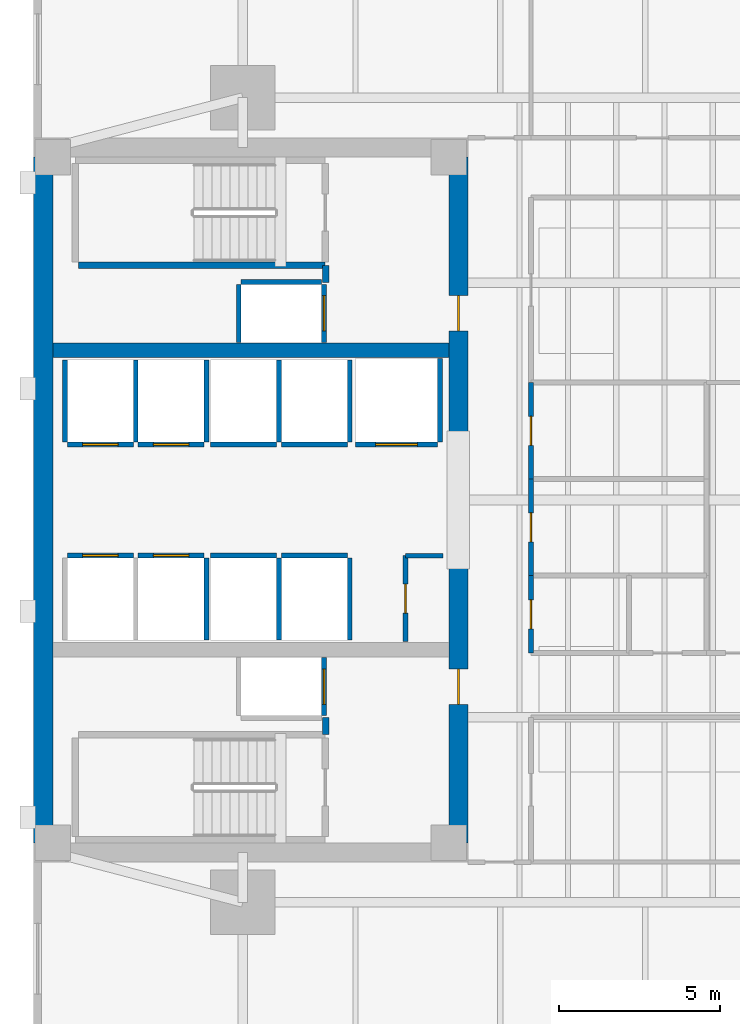
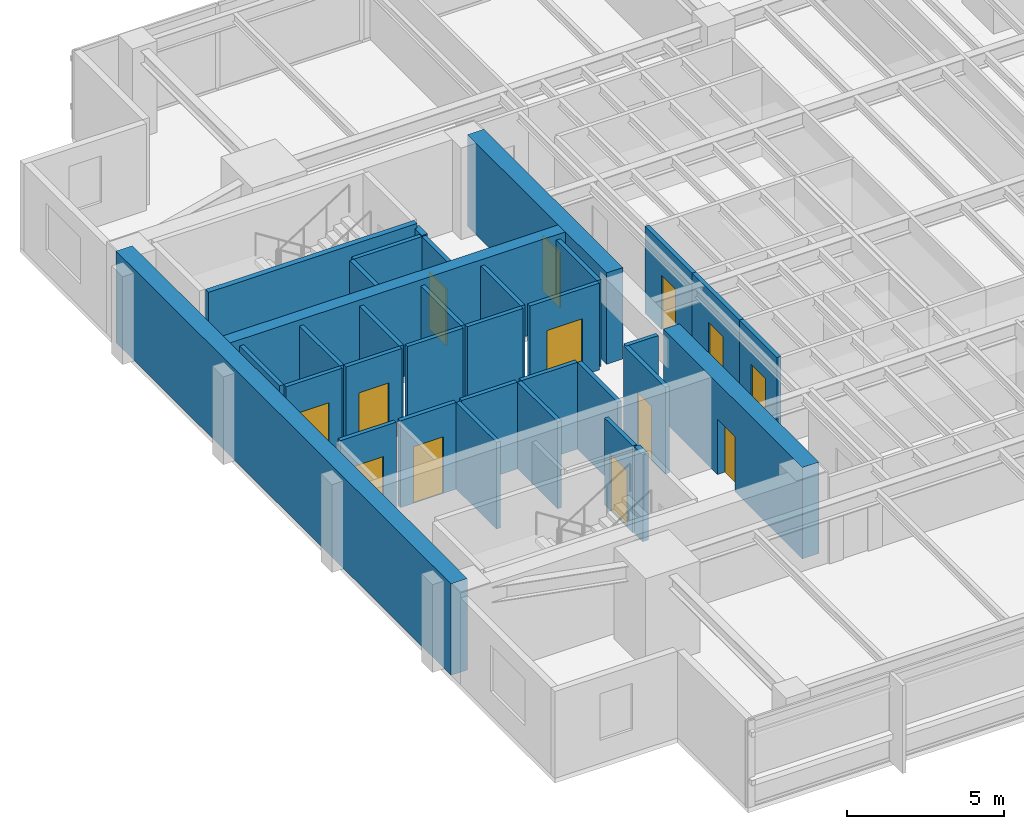
# One storey, part 8 of 14: 34 walls, 13 doors, 13 openings.
"""IFC4 building model written with IfcOpenShell, lengths in metres."""

from ifc_helpers import new_model, si_unit, direction, frame, frame_2d, origin, place, context, subcontext, project, spatial, rectangle, extrude, material, layer, layer_set, type_object, element, fill, save


model = new_model("IFC4")

# Units and contexts
model_context = context("Model", 3, precision=1e-05, world=origin(), true_north=direction((0.0, 1.0)))
body_context = subcontext(model_context, "Body", "Model", "MODEL_VIEW")
ifc_project = project(units=[si_unit("LENGTHUNIT", "METRE"), si_unit("AREAUNIT", "SQUARE_METRE"), si_unit("VOLUMEUNIT", "CUBIC_METRE"), si_unit("PLANEANGLEUNIT", "RADIAN"), si_unit("MASSUNIT", "GRAM", prefix="KILO")], contexts=[model_context])

# Site, building, storey
site_placement = place(None, origin())
site = spatial("IfcSite", under=ifc_project, at=site_placement, CompositionType="ELEMENT")
building_placement = place(site_placement, origin())
building = spatial("IfcBuilding", under=site, at=building_placement, Name="Kinhvarn Gate Tower", CompositionType="ELEMENT")
storey_placement = place(building_placement, frame((0.0, 0.0, 144.85009765625)))
storey = spatial("IfcBuildingStorey", under=building, at=storey_placement, Name="L38", CompositionType="ELEMENT", Elevation=144.85009765625)

# Wall
ifc_material_1 = material(Name="Concrete C50/60", Category="concrete")
ifc_layer_1 = layer(ifc_material_1, 0.449951171875)
ifc_layer_set_1 = layer_set([ifc_layer_1], Name="Concrete C50/60")
wall_type_1 = type_object("IfcWallType", Name="WL-CORE-450", PredefinedType="SHEAR", material=ifc_layer_set_1)
wall_1_placement = place(storey_placement, frame((5.10009765625, 29.89990234375, 0.0), z_axis=(0.0, 0.0, 1.0), x_axis=(1.0, 0.0, 0.0)))
element("IfcWall", 1, at=wall_1_placement, inside=storey, type_object=wall_type_1, Name="Core North Spine Shear Wall L38 450 mm", PredefinedType="SHEAR", context=body_context, shape_type="SweptSolid", body=[
    extrude(rectangle(XDim=12.2998046875, YDim=0.449951171875, at=frame_2d((6.14990234375, 0.0))), origin(), (0.0, 0.0, 1.0), 3.5498046875),
])

# Wall, opening, door
ifc_material_2 = material(Name="Concrete C60/75", Category="concrete")
ifc_layer_2 = layer(ifc_material_2, 0.60009765625)
ifc_layer_set_2 = layer_set([ifc_layer_2], Name="Concrete C60/75")
wall_type_2 = type_object("IfcWallType", Name="WL-CORE-600", PredefinedType="SHEAR", material=ifc_layer_set_2)
wall_2_placement = place(storey_placement, frame((17.699951171875, 14.60009765625, 0.0), z_axis=(0.0, 0.0, 1.0), x_axis=(0.0, 1.0, 0.0)))
wall_2 = element("IfcWall", 2, at=wall_2_placement, inside=storey, type_object=wall_type_2, Name="Core East-South Shear Pier L38 600 mm", PredefinedType="SHEAR", context=body_context, shape_type="SweptSolid", body=[
    extrude(rectangle(XDim=8.849853515625, YDim=0.60009765625, at=frame_2d((4.4248046875, 0.0))), origin(), (0.0, 0.0, 1.0), 3.5498046875),
])
opening_1_placement = place(wall_2_placement, frame((4.300048828125, 0.0, 0.0)))
opening_1 = element("IfcOpeningElement", 3, at=opening_1_placement, cuts=wall_2, Name="Opening FD-02", PredefinedType="OPENING", context=body_context, shape_type="SweptSolid", body=[
    extrude(rectangle(XDim=1.10009765625, YDim=2.14990234375, at=frame_2d((0.550048828125, 1.074951171875))), frame((0.0, 0.31005859375, 0.0), z_axis=(0.0, -1.0, 0.0), x_axis=(1.0, 0.0, 0.0)), (0.0, 0.0, 1.0), 0.6201171875),
])
ifc_material_3 = material(Name="Anodised aluminium AW-6063", Category="aluminium")
door_type_1 = type_object("IfcDoorType", Name="DR-FD-1100", OperationType="NOTDEFINED", PredefinedType="DOOR", material=ifc_material_3)
door_1_placement = place(opening_1_placement, origin())
door_1 = element("IfcDoor", 4, at=door_1_placement, inside=storey, type_object=door_type_1, Name="Firefighting Lobby Core Door (L38)", OperationType="SINGLE_SWING_RIGHT", OverallHeight=2.14990234375, OverallWidth=1.10009765625, PredefinedType="DOOR", context=body_context, shape_type="SweptSolid", body=[
    extrude(rectangle(XDim=1.10009765625, YDim=2.14990234375, at=frame_2d((0.550048828125, 1.074951171875))), frame((0.0, 0.02490234375, 0.0), z_axis=(0.0, -1.0, 0.0), x_axis=(1.0, 0.0, 0.0)), (0.0, 0.0, 1.0), 0.050048828125),
])
fill(opening_1, door_1)

wall_3_placement = place(storey_placement, frame((17.699951171875, 27.050048828125, 0.0), z_axis=(0.0, 0.0, 1.0), x_axis=(0.0, 1.0, 0.0)))
wall_3 = element("IfcWall", 5, at=wall_3_placement, inside=storey, type_object=wall_type_2, Name="Core East-North Shear Pier L38 600 mm", PredefinedType="SHEAR", context=body_context, shape_type="SweptSolid", body=[
    extrude(rectangle(XDim=8.849853515625, YDim=0.60009765625, at=frame_2d((4.4248046875, 0.0))), origin(), (0.0, 0.0, 1.0), 3.5498046875),
])
opening_2_placement = place(wall_3_placement, frame((3.449951171875, 0.0, 0.0)))
opening_2 = element("IfcOpeningElement", 6, at=opening_2_placement, cuts=wall_3, Name="Opening FD-02", PredefinedType="OPENING", context=body_context, shape_type="SweptSolid", body=[
    extrude(rectangle(XDim=1.10009765625, YDim=2.14990234375, at=frame_2d((0.550048828125, 1.074951171875))), frame((0.0, 0.31005859375, 0.0), z_axis=(0.0, -1.0, 0.0), x_axis=(1.0, 0.0, 0.0)), (0.0, 0.0, 1.0), 0.6201171875),
])
door_2_placement = place(opening_2_placement, origin())
door_2 = element("IfcDoor", 7, at=door_2_placement, inside=storey, type_object=door_type_1, Name="Firefighting Lobby Core Door (L38)", OperationType="SINGLE_SWING_LEFT", OverallHeight=2.14990234375, OverallWidth=1.10009765625, PredefinedType="DOOR", context=body_context, shape_type="SweptSolid", body=[
    extrude(rectangle(XDim=1.10009765625, YDim=2.14990234375, at=frame_2d((0.550048828125, 1.074951171875))), frame((0.0, 0.02490234375, 0.0), z_axis=(0.0, -1.0, 0.0), x_axis=(1.0, 0.0, 0.0)), (0.0, 0.0, 1.0), 0.050048828125),
])
fill(opening_2, door_2)

# Wall
ifc_layer_3 = layer(ifc_material_2, 0.60009765625)
ifc_layer_set_3 = layer_set([ifc_layer_3], Name="Concrete C60/75")
wall_type_3 = type_object("IfcWallType", Name="WL-COREX-600", PredefinedType="SHEAR", material=ifc_layer_set_3)
wall_4_placement = place(storey_placement, frame((4.800048828125, 14.60009765625, 0.0), z_axis=(0.0, 0.0, 1.0), x_axis=(0.0, 1.0, 0.0)))
element("IfcWall", 8, at=wall_4_placement, inside=storey, type_object=wall_type_3, Name="Core West Shear Wall L38 600 mm", PredefinedType="SHEAR", context=body_context, shape_type="SweptSolid", body=[
    extrude(rectangle(XDim=21.2998046875, YDim=0.60009765625, at=frame_2d((10.64990234375, 0.0))), origin(), (0.0, 0.0, 1.0), 3.5498046875),
])

# Wall, opening, door
ifc_material_4 = material(Name="Gypsum acoustic partition board")
ifc_layer_4 = layer(ifc_material_4, 0.14990234375)
ifc_layer_set_4 = layer_set([ifc_layer_4], Name="Gypsum acoustic partition board")
wall_type_4 = type_object("IfcWallType", Name="WL-PLM-150F", PredefinedType="PLUMBINGWALL", material=ifc_layer_set_4)
wall_5_placement = place(storey_placement, frame((19.949951171875, 20.5, 0.0), z_axis=(0.0, 0.0, 1.0), x_axis=(0.0, 1.0, 0.0)))
wall_5 = element("IfcWall", 9, at=wall_5_placement, inside=storey, type_object=wall_type_4, Name="Interior Partition PLW-150F (L38)", PredefinedType="PLUMBINGWALL", context=body_context, shape_type="SweptSolid", body=[
    extrude(rectangle(XDim=2.39990234375, YDim=0.14990234375, at=frame_2d((1.199951171875, 0.0))), origin(), (0.0, 0.0, 1.0), 3.369873046875),
])
opening_3_placement = place(wall_5_placement, frame((0.75, 0.0, 0.0)))
opening_3 = element("IfcOpeningElement", 10, at=opening_3_placement, cuts=wall_5, Name="Opening FD-04", PredefinedType="OPENING", context=body_context, shape_type="SweptSolid", body=[
    extrude(rectangle(XDim=0.89990234375, YDim=2.10009765625, at=frame_2d((0.449951171875, 1.050048828125))), frame((0.0, 0.0849609375, 0.0), z_axis=(0.0, -1.0, 0.0), x_axis=(1.0, 0.0, 0.0)), (0.0, 0.0, 1.0), 0.169921875),
])
door_type_2 = type_object("IfcDoorType", Name="DR-FD-900", OperationType="NOTDEFINED", PredefinedType="DOOR", material=ifc_material_3)
door_3_placement = place(opening_3_placement, origin())
door_3 = element("IfcDoor", 11, at=door_3_placement, inside=storey, type_object=door_type_2, Name="Rated Riser & Service Closet Fire Door 900x2100 mm (L38)", OperationType="SINGLE_SWING_LEFT", OverallHeight=2.10009765625, OverallWidth=0.89990234375, PredefinedType="DOOR", context=body_context, shape_type="SweptSolid", body=[
    extrude(rectangle(XDim=0.89990234375, YDim=2.10009765625, at=frame_2d((0.449951171875, 1.050048828125))), frame((0.0, 0.02490234375, 0.0), z_axis=(0.0, -1.0, 0.0), x_axis=(1.0, 0.0, 0.0)), (0.0, 0.0, 1.0), 0.050048828125),
])
fill(opening_3, door_3)

wall_6_placement = place(storey_placement, frame((19.949951171875, 22.89990234375, 0.0), z_axis=(0.0, 0.0, 1.0), x_axis=(0.0, 1.0, 0.0)))
wall_6 = element("IfcWall", 12, at=wall_6_placement, inside=storey, type_object=wall_type_4, Name="Interior Partition PLW-150F (L38)", PredefinedType="PLUMBINGWALL", context=body_context, shape_type="SweptSolid", body=[
    extrude(rectangle(XDim=3.0, YDim=0.14990234375, at=frame_2d((1.5, 0.0))), origin(), (0.0, 0.0, 1.0), 3.369873046875),
])
opening_4_placement = place(wall_6_placement, frame((1.050048828125, 0.0, 0.0)))
opening_4 = element("IfcOpeningElement", 13, at=opening_4_placement, cuts=wall_6, Name="Opening FD-04", PredefinedType="OPENING", context=body_context, shape_type="SweptSolid", body=[
    extrude(rectangle(XDim=0.89990234375, YDim=2.10009765625, at=frame_2d((0.449951171875, 1.050048828125))), frame((0.0, 0.0849609375, 0.0), z_axis=(0.0, -1.0, 0.0), x_axis=(1.0, 0.0, 0.0)), (0.0, 0.0, 1.0), 0.169921875),
])
door_4_placement = place(opening_4_placement, origin())
door_4 = element("IfcDoor", 14, at=door_4_placement, inside=storey, type_object=door_type_2, Name="Rated Riser & Service Closet Fire Door 900x2100 mm (L38)", OperationType="SINGLE_SWING_RIGHT", OverallHeight=2.10009765625, OverallWidth=0.89990234375, PredefinedType="DOOR", context=body_context, shape_type="SweptSolid", body=[
    extrude(rectangle(XDim=0.89990234375, YDim=2.10009765625, at=frame_2d((0.449951171875, 1.050048828125))), frame((0.0, 0.02490234375, 0.0), z_axis=(0.0, -1.0, 0.0), x_axis=(1.0, 0.0, 0.0)), (0.0, 0.0, 1.0), 0.050048828125),
])
fill(opening_4, door_4)

wall_7_placement = place(storey_placement, frame((19.949951171875, 25.89990234375, 0.0), z_axis=(0.0, 0.0, 1.0), x_axis=(0.0, 1.0, 0.0)))
wall_7 = element("IfcWall", 15, at=wall_7_placement, inside=storey, type_object=wall_type_4, Name="Interior Partition PLW-150F (L38)", PredefinedType="PLUMBINGWALL", context=body_context, shape_type="SweptSolid", body=[
    extrude(rectangle(XDim=3.0, YDim=0.14990234375, at=frame_2d((1.5, 0.0))), origin(), (0.0, 0.0, 1.0), 3.369873046875),
])
opening_5_placement = place(wall_7_placement, frame((1.050048828125, 0.0, 0.0)))
opening_5 = element("IfcOpeningElement", 16, at=opening_5_placement, cuts=wall_7, Name="Opening FD-04", PredefinedType="OPENING", context=body_context, shape_type="SweptSolid", body=[
    extrude(rectangle(XDim=0.89990234375, YDim=2.10009765625, at=frame_2d((0.449951171875, 1.050048828125))), frame((0.0, 0.0849609375, 0.0), z_axis=(0.0, -1.0, 0.0), x_axis=(1.0, 0.0, 0.0)), (0.0, 0.0, 1.0), 0.169921875),
])
door_5_placement = place(opening_5_placement, origin())
door_5 = element("IfcDoor", 17, at=door_5_placement, inside=storey, type_object=door_type_2, Name="Rated Riser & Service Closet Fire Door 900x2100 mm (L38)", OperationType="SINGLE_SWING_LEFT", OverallHeight=2.10009765625, OverallWidth=0.89990234375, PredefinedType="DOOR", context=body_context, shape_type="SweptSolid", body=[
    extrude(rectangle(XDim=0.89990234375, YDim=2.10009765625, at=frame_2d((0.449951171875, 1.050048828125))), frame((0.0, 0.02490234375, 0.0), z_axis=(0.0, -1.0, 0.0), x_axis=(1.0, 0.0, 0.0)), (0.0, 0.0, 1.0), 0.050048828125),
])
fill(opening_5, door_5)

ifc_layer_5 = layer(ifc_material_4, 0.14990234375)
ifc_layer_set_5 = layer_set([ifc_layer_5], Name="Gypsum acoustic partition board")
wall_type_5 = type_object("IfcWallType", Name="WL-PRT-150F", PredefinedType="PARTITIONING", material=ifc_layer_set_5)
wall_8_placement = place(storey_placement, frame((16.050048828125, 20.85009765625, 0.0), z_axis=(0.0, 0.0, 1.0), x_axis=(0.0, 1.0, 0.0)))
wall_8 = element("IfcWall", 18, at=wall_8_placement, inside=storey, type_object=wall_type_5, Name="Interior Partition PW-150F (L38)", PredefinedType="PARTITIONING", context=body_context, shape_type="SweptSolid", body=[
    extrude(rectangle(XDim=2.669921875, YDim=0.14990234375, at=frame_2d((1.3349609375, 0.0))), origin(), (0.0, 0.0, 1.0), 3.369873046875),
])
opening_6_placement = place(wall_8_placement, frame((0.885009765625, 0.0, 0.0)))
opening_6 = element("IfcOpeningElement", 19, at=opening_6_placement, cuts=wall_8, Name="Opening FD-04", PredefinedType="OPENING", context=body_context, shape_type="SweptSolid", body=[
    extrude(rectangle(XDim=0.89990234375, YDim=2.10009765625, at=frame_2d((0.449951171875, 1.050048828125))), frame((0.0, 0.0849609375, 0.0), z_axis=(0.0, -1.0, 0.0), x_axis=(1.0, 0.0, 0.0)), (0.0, 0.0, 1.0), 0.169921875),
])
door_6_placement = place(opening_6_placement, origin())
door_6 = element("IfcDoor", 20, at=door_6_placement, inside=storey, type_object=door_type_2, Name="Rated Riser & Service Closet Fire Door 900x2100 mm (L38)", OperationType="SINGLE_SWING_RIGHT", OverallHeight=2.10009765625, OverallWidth=0.89990234375, PredefinedType="DOOR", context=body_context, shape_type="SweptSolid", body=[
    extrude(rectangle(XDim=0.89990234375, YDim=2.10009765625, at=frame_2d((0.449951171875, 1.050048828125))), frame((0.0, 0.02490234375, 0.0), z_axis=(0.0, -1.0, 0.0), x_axis=(1.0, 0.0, 0.0)), (0.0, 0.0, 1.0), 0.050048828125),
])
fill(opening_6, door_6)

# Walls
wall_9_placement = place(storey_placement, frame((16.050048828125, 23.52001953125, 0.0), z_axis=(0.0, 0.0, 1.0), x_axis=(1.0, 0.0, 0.0)))
element("IfcWall", 21, at=wall_9_placement, inside=storey, type_object=wall_type_5, Name="Interior Partition PW-150F (L38)", PredefinedType="PARTITIONING", context=body_context, shape_type="SweptSolid", body=[
    extrude(rectangle(XDim=1.169921875, YDim=0.14990234375, at=frame_2d((0.5849609375, 0.0))), origin(), (0.0, 0.0, 1.0), 3.369873046875),
])
ifc_layer_6 = layer(ifc_material_4, 0.199951171875)
ifc_layer_set_6 = layer_set([ifc_layer_6], Name="Gypsum acoustic partition board")
wall_type_6 = type_object("IfcWallType", Name="WL-PRT-200", PredefinedType="PARTITIONING", material=ifc_layer_set_6)
for number, where, z_axis, x_axis, name in (
    (22, (13.580078125, 17.9599609375, 0.0), (0.0, 0.0, 1.0), (0.0, 1.0, 0.0), "Interior Partition PW-200 (L38)"),
    (23, (13.580078125, 32.0, 0.0), (0.0, 0.0, 1.0), (0.0, 1.0, 0.0), "Interior Partition PW-200 (L38)"),
):
    element("IfcWall", number, at=place(storey_placement, frame(where, z_axis=z_axis, x_axis=x_axis)), inside=storey, type_object=wall_type_6, Name=name, PredefinedType="PARTITIONING", context=body_context, shape_type="SweptSolid", body=[
        extrude(rectangle(XDim=0.5400390625, YDim=0.199951171875, at=frame_2d((0.27001953125, 0.0))), origin(), (0.0, 0.0, 1.0), 3.369873046875),
    ])

# Wall, opening, door
ifc_layer_7 = layer(ifc_material_4, 0.14990234375)
ifc_layer_set_7 = layer_set([ifc_layer_7], Name="Gypsum acoustic partition board")
wall_type_7 = type_object("IfcWallType", Name="WL-SHF-150", PredefinedType="PARTITIONING", material=ifc_layer_set_7)
wall_10_placement = place(storey_placement, frame((5.550048828125, 23.52490234375, 0.0), z_axis=(0.0, 0.0, 1.0), x_axis=(1.0, 0.0, 0.0)))
wall_10 = element("IfcWall", 24, at=wall_10_placement, inside=storey, type_object=wall_type_7, Name="Elevator PM-05 Landing Wall (L38)", PredefinedType="PARTITIONING", context=body_context, shape_type="SweptSolid", body=[
    extrude(rectangle(XDim=2.050048828125, YDim=0.14990234375, at=frame_2d((1.02490234375, 0.0))), origin(), (0.0, 0.0, 1.0), 3.369873046875),
])
opening_7_placement = place(wall_10_placement, frame((0.47509765625, 0.0, 0.0)))
opening_7 = element("IfcOpeningElement", 25, at=opening_7_placement, cuts=wall_10, Name="Opening LD-01", PredefinedType="OPENING", context=body_context, shape_type="SweptSolid", body=[
    extrude(rectangle(XDim=1.10009765625, YDim=2.199951171875, at=frame_2d((0.550048828125, 1.10009765625))), frame((0.0, 0.0849609375, 0.0), z_axis=(0.0, -1.0, 0.0), x_axis=(1.0, 0.0, 0.0)), (0.0, 0.0, 1.0), 0.169921875),
])
door_type_3 = type_object("IfcDoorType", Name="DR-LND-PAS", OperationType="NOTDEFINED", PredefinedType="DOOR", material=ifc_material_3)
door_7_placement = place(opening_7_placement, origin())
door_7 = element("IfcDoor", 26, at=door_7_placement, inside=storey, type_object=door_type_3, Name="Elevator PM-05 Sliding Landing Door (L38)", OperationType="DOUBLE_DOOR_SLIDING", OverallHeight=2.199951171875, OverallWidth=1.10009765625, PredefinedType="DOOR", context=body_context, shape_type="SweptSolid", body=[
    extrude(rectangle(XDim=1.10009765625, YDim=2.199951171875, at=frame_2d((0.550048828125, 1.10009765625))), frame((0.0, 0.02490234375, 0.0), z_axis=(0.0, -1.0, 0.0), x_axis=(1.0, 0.0, 0.0)), (0.0, 0.0, 1.0), 0.050048828125),
])
fill(opening_7, door_7)

wall_11_placement = place(storey_placement, frame((7.75, 23.52490234375, 0.0), z_axis=(0.0, 0.0, 1.0), x_axis=(1.0, 0.0, 0.0)))
wall_11 = element("IfcWall", 27, at=wall_11_placement, inside=storey, type_object=wall_type_7, Name="Elevator PM-06 Landing Wall (L38)", PredefinedType="PARTITIONING", context=body_context, shape_type="SweptSolid", body=[
    extrude(rectangle(XDim=2.050048828125, YDim=0.14990234375, at=frame_2d((1.02490234375, 0.0))), origin(), (0.0, 0.0, 1.0), 3.369873046875),
])
opening_8_placement = place(wall_11_placement, frame((0.47509765625, 0.0, 0.0)))
opening_8 = element("IfcOpeningElement", 28, at=opening_8_placement, cuts=wall_11, Name="Opening LD-01", PredefinedType="OPENING", context=body_context, shape_type="SweptSolid", body=[
    extrude(rectangle(XDim=1.10009765625, YDim=2.199951171875, at=frame_2d((0.550048828125, 1.10009765625))), frame((0.0, 0.0849609375, 0.0), z_axis=(0.0, -1.0, 0.0), x_axis=(1.0, 0.0, 0.0)), (0.0, 0.0, 1.0), 0.169921875),
])
door_8_placement = place(opening_8_placement, origin())
door_8 = element("IfcDoor", 29, at=door_8_placement, inside=storey, type_object=door_type_3, Name="Elevator PM-06 Sliding Landing Door (L38)", OperationType="DOUBLE_DOOR_SLIDING", OverallHeight=2.199951171875, OverallWidth=1.10009765625, PredefinedType="DOOR", context=body_context, shape_type="SweptSolid", body=[
    extrude(rectangle(XDim=1.10009765625, YDim=2.199951171875, at=frame_2d((0.550048828125, 1.10009765625))), frame((0.0, 0.02490234375, 0.0), z_axis=(0.0, -1.0, 0.0), x_axis=(1.0, 0.0, 0.0)), (0.0, 0.0, 1.0), 0.050048828125),
])
fill(opening_8, door_8)

# Wall
wall_12_placement = place(storey_placement, frame((9.875, 20.89990234375, 0.0), z_axis=(0.0, 0.0, 1.0), x_axis=(0.0, 1.0, 0.0)))
element("IfcWall", 30, at=wall_12_placement, inside=storey, type_object=wall_type_7, Name="Elevator PM-06 Hoistway Wall E (L38)", PredefinedType="PARTITIONING", context=body_context, shape_type="SweptSolid", body=[
    extrude(rectangle(XDim=2.550048828125, YDim=0.14990234375, at=frame_2d((1.27490234375, 0.0))), origin(), (0.0, 0.0, 1.0), 3.369873046875),
])

# Wall, opening, door
wall_13_placement = place(storey_placement, frame((5.550048828125, 26.97509765625, 0.0), z_axis=(0.0, 0.0, 1.0), x_axis=(1.0, 0.0, 0.0)))
wall_13 = element("IfcWall", 31, at=wall_13_placement, inside=storey, type_object=wall_type_7, Name="Elevator PM-07 Landing Wall (L38)", PredefinedType="PARTITIONING", context=body_context, shape_type="SweptSolid", body=[
    extrude(rectangle(XDim=2.050048828125, YDim=0.14990234375, at=frame_2d((1.02490234375, 0.0))), origin(), (0.0, 0.0, 1.0), 3.369873046875),
])
opening_9_placement = place(wall_13_placement, frame((0.47509765625, 0.0, 0.0)))
opening_9 = element("IfcOpeningElement", 32, at=opening_9_placement, cuts=wall_13, Name="Opening LD-01", PredefinedType="OPENING", context=body_context, shape_type="SweptSolid", body=[
    extrude(rectangle(XDim=1.10009765625, YDim=2.199951171875, at=frame_2d((0.550048828125, 1.10009765625))), frame((0.0, 0.0849609375, 0.0), z_axis=(0.0, -1.0, 0.0), x_axis=(1.0, 0.0, 0.0)), (0.0, 0.0, 1.0), 0.169921875),
])
door_9_placement = place(opening_9_placement, origin())
door_9 = element("IfcDoor", 33, at=door_9_placement, inside=storey, type_object=door_type_3, Name="Elevator PM-07 Sliding Landing Door (L38)", OperationType="DOUBLE_DOOR_SLIDING", OverallHeight=2.199951171875, OverallWidth=1.10009765625, PredefinedType="DOOR", context=body_context, shape_type="SweptSolid", body=[
    extrude(rectangle(XDim=1.10009765625, YDim=2.199951171875, at=frame_2d((0.550048828125, 1.10009765625))), frame((0.0, 0.02490234375, 0.0), z_axis=(0.0, -1.0, 0.0), x_axis=(1.0, 0.0, 0.0)), (0.0, 0.0, 1.0), 0.050048828125),
])
fill(opening_9, door_9)

# Walls
for number, where, z_axis, x_axis, name in (
    (34, (5.47509765625, 27.050048828125, 0.0), (0.0, 0.0, 1.0), (0.0, 1.0, 0.0), "Elevator PM-07 Hoistway Wall W (L38)"),
    (35, (7.675048828125, 27.050048828125, 0.0), (0.0, 0.0, 1.0), (0.0, 1.0, 0.0), "Elevator PM-07 Hoistway Wall E (L38)"),
):
    element("IfcWall", number, at=place(storey_placement, frame(where, z_axis=z_axis, x_axis=x_axis)), inside=storey, type_object=wall_type_7, Name=name, PredefinedType="PARTITIONING", context=body_context, shape_type="SweptSolid", body=[
        extrude(rectangle(XDim=2.550048828125, YDim=0.14990234375, at=frame_2d((1.27490234375, 0.0))), origin(), (0.0, 0.0, 1.0), 3.369873046875),
    ])

# Wall, opening, door
wall_14_placement = place(storey_placement, frame((7.75, 26.97509765625, 0.0), z_axis=(0.0, 0.0, 1.0), x_axis=(1.0, 0.0, 0.0)))
wall_14 = element("IfcWall", 36, at=wall_14_placement, inside=storey, type_object=wall_type_7, Name="Elevator PM-08 Landing Wall (L38)", PredefinedType="PARTITIONING", context=body_context, shape_type="SweptSolid", body=[
    extrude(rectangle(XDim=2.050048828125, YDim=0.14990234375, at=frame_2d((1.02490234375, 0.0))), origin(), (0.0, 0.0, 1.0), 3.369873046875),
])
opening_10_placement = place(wall_14_placement, frame((0.47509765625, 0.0, 0.0)))
opening_10 = element("IfcOpeningElement", 37, at=opening_10_placement, cuts=wall_14, Name="Opening LD-01", PredefinedType="OPENING", context=body_context, shape_type="SweptSolid", body=[
    extrude(rectangle(XDim=1.10009765625, YDim=2.199951171875, at=frame_2d((0.550048828125, 1.10009765625))), frame((0.0, 0.0849609375, 0.0), z_axis=(0.0, -1.0, 0.0), x_axis=(1.0, 0.0, 0.0)), (0.0, 0.0, 1.0), 0.169921875),
])
door_10_placement = place(opening_10_placement, origin())
door_10 = element("IfcDoor", 38, at=door_10_placement, inside=storey, type_object=door_type_3, Name="Elevator PM-08 Sliding Landing Door (L38)", OperationType="DOUBLE_DOOR_SLIDING", OverallHeight=2.199951171875, OverallWidth=1.10009765625, PredefinedType="DOOR", context=body_context, shape_type="SweptSolid", body=[
    extrude(rectangle(XDim=1.10009765625, YDim=2.199951171875, at=frame_2d((0.550048828125, 1.10009765625))), frame((0.0, 0.02490234375, 0.0), z_axis=(0.0, -1.0, 0.0), x_axis=(1.0, 0.0, 0.0)), (0.0, 0.0, 1.0), 0.050048828125),
])
fill(opening_10, door_10)

# Walls
wall_15_placement = place(storey_placement, frame((9.875, 27.050048828125, 0.0), z_axis=(0.0, 0.0, 1.0), x_axis=(0.0, 1.0, 0.0)))
element("IfcWall", 39, at=wall_15_placement, inside=storey, type_object=wall_type_7, Name="Elevator PM-08 Hoistway Wall E (L38)", PredefinedType="PARTITIONING", context=body_context, shape_type="SweptSolid", body=[
    extrude(rectangle(XDim=2.550048828125, YDim=0.14990234375, at=frame_2d((1.27490234375, 0.0))), origin(), (0.0, 0.0, 1.0), 3.369873046875),
])
wall_16_placement = place(storey_placement, frame((10.0, 23.52490234375, 0.0), z_axis=(0.0, 0.0, 1.0), x_axis=(1.0, 0.0, 0.0)))
element("IfcWall", 40, at=wall_16_placement, inside=storey, type_object=wall_type_7, Name="Elevator PH-09 Landing Wall (L38)", PredefinedType="PARTITIONING", context=body_context, shape_type="SweptSolid", body=[
    extrude(rectangle(XDim=2.050048828125, YDim=0.14990234375, at=frame_2d((1.02490234375, 0.0))), origin(), (0.0, 0.0, 1.0), 3.369873046875),
])
wall_17_placement = place(storey_placement, frame((12.125, 20.89990234375, 0.0), z_axis=(0.0, 0.0, 1.0), x_axis=(0.0, 1.0, 0.0)))
element("IfcWall", 41, at=wall_17_placement, inside=storey, type_object=wall_type_7, Name="Elevator PH-09 Hoistway Wall E (L38)", PredefinedType="PARTITIONING", context=body_context, shape_type="SweptSolid", body=[
    extrude(rectangle(XDim=2.550048828125, YDim=0.14990234375, at=frame_2d((1.27490234375, 0.0))), origin(), (0.0, 0.0, 1.0), 3.369873046875),
])
wall_18_placement = place(storey_placement, frame((12.199951171875, 23.52490234375, 0.0), z_axis=(0.0, 0.0, 1.0), x_axis=(1.0, 0.0, 0.0)))
element("IfcWall", 42, at=wall_18_placement, inside=storey, type_object=wall_type_7, Name="Elevator PH-10 Landing Wall (L38)", PredefinedType="PARTITIONING", context=body_context, shape_type="SweptSolid", body=[
    extrude(rectangle(XDim=2.050048828125, YDim=0.14990234375, at=frame_2d((1.02490234375, 0.0))), origin(), (0.0, 0.0, 1.0), 3.369873046875),
])
wall_19_placement = place(storey_placement, frame((14.324951171875, 20.89990234375, 0.0), z_axis=(0.0, 0.0, 1.0), x_axis=(0.0, 1.0, 0.0)))
element("IfcWall", 43, at=wall_19_placement, inside=storey, type_object=wall_type_7, Name="Elevator PH-10 Hoistway Wall E (L38)", PredefinedType="PARTITIONING", context=body_context, shape_type="SweptSolid", body=[
    extrude(rectangle(XDim=2.550048828125, YDim=0.14990234375, at=frame_2d((1.27490234375, 0.0))), origin(), (0.0, 0.0, 1.0), 3.369873046875),
])
wall_20_placement = place(storey_placement, frame((10.0, 26.97509765625, 0.0), z_axis=(0.0, 0.0, 1.0), x_axis=(1.0, 0.0, 0.0)))
element("IfcWall", 44, at=wall_20_placement, inside=storey, type_object=wall_type_7, Name="Elevator PH-11 Landing Wall (L38)", PredefinedType="PARTITIONING", context=body_context, shape_type="SweptSolid", body=[
    extrude(rectangle(XDim=2.050048828125, YDim=0.14990234375, at=frame_2d((1.02490234375, 0.0))), origin(), (0.0, 0.0, 1.0), 3.369873046875),
])
wall_21_placement = place(storey_placement, frame((12.125, 27.050048828125, 0.0), z_axis=(0.0, 0.0, 1.0), x_axis=(0.0, 1.0, 0.0)))
element("IfcWall", 45, at=wall_21_placement, inside=storey, type_object=wall_type_7, Name="Elevator PH-11 Hoistway Wall E (L38)", PredefinedType="PARTITIONING", context=body_context, shape_type="SweptSolid", body=[
    extrude(rectangle(XDim=2.550048828125, YDim=0.14990234375, at=frame_2d((1.27490234375, 0.0))), origin(), (0.0, 0.0, 1.0), 3.369873046875),
])
wall_22_placement = place(storey_placement, frame((12.199951171875, 26.97509765625, 0.0), z_axis=(0.0, 0.0, 1.0), x_axis=(1.0, 0.0, 0.0)))
element("IfcWall", 46, at=wall_22_placement, inside=storey, type_object=wall_type_7, Name="Elevator PH-12 Landing Wall (L38)", PredefinedType="PARTITIONING", context=body_context, shape_type="SweptSolid", body=[
    extrude(rectangle(XDim=2.050048828125, YDim=0.14990234375, at=frame_2d((1.02490234375, 0.0))), origin(), (0.0, 0.0, 1.0), 3.369873046875),
])
wall_23_placement = place(storey_placement, frame((14.324951171875, 27.050048828125, 0.0), z_axis=(0.0, 0.0, 1.0), x_axis=(0.0, 1.0, 0.0)))
element("IfcWall", 47, at=wall_23_placement, inside=storey, type_object=wall_type_7, Name="Elevator PH-12 Hoistway Wall E (L38)", PredefinedType="PARTITIONING", context=body_context, shape_type="SweptSolid", body=[
    extrude(rectangle(XDim=2.550048828125, YDim=0.14990234375, at=frame_2d((1.27490234375, 0.0))), origin(), (0.0, 0.0, 1.0), 3.369873046875),
])

# Wall, opening, door
wall_24_placement = place(storey_placement, frame((14.5, 26.97509765625, 0.0), z_axis=(0.0, 0.0, 1.0), x_axis=(1.0, 0.0, 0.0)))
wall_24 = element("IfcWall", 48, at=wall_24_placement, inside=storey, type_object=wall_type_7, Name="Elevator SV-01 Landing Wall (L38)", PredefinedType="PARTITIONING", context=body_context, shape_type="SweptSolid", body=[
    extrude(rectangle(XDim=2.550048828125, YDim=0.14990234375, at=frame_2d((1.27490234375, 0.0))), origin(), (0.0, 0.0, 1.0), 3.369873046875),
])
opening_11_placement = place(wall_24_placement, frame((0.625, 0.0, 0.0)))
opening_11 = element("IfcOpeningElement", 49, at=opening_11_placement, cuts=wall_24, Name="Opening LD-02", PredefinedType="OPENING", context=body_context, shape_type="SweptSolid", body=[
    extrude(rectangle(XDim=1.300048828125, YDim=2.199951171875, at=frame_2d((0.64990234375, 1.10009765625))), frame((0.0, 0.0849609375, 0.0), z_axis=(0.0, -1.0, 0.0), x_axis=(1.0, 0.0, 0.0)), (0.0, 0.0, 1.0), 0.169921875),
])
door_type_4 = type_object("IfcDoorType", Name="DR-LND-SRV", OperationType="NOTDEFINED", PredefinedType="DOOR", material=ifc_material_3)
door_11_placement = place(opening_11_placement, origin())
door_11 = element("IfcDoor", 50, at=door_11_placement, inside=storey, type_object=door_type_4, Name="Elevator SV-01 Sliding Landing Door (L38)", OperationType="DOUBLE_DOOR_SLIDING", OverallHeight=2.199951171875, OverallWidth=1.300048828125, PredefinedType="DOOR", context=body_context, shape_type="SweptSolid", body=[
    extrude(rectangle(XDim=1.300048828125, YDim=2.199951171875, at=frame_2d((0.64990234375, 1.10009765625))), frame((0.0, 0.02490234375, 0.0), z_axis=(0.0, -1.0, 0.0), x_axis=(1.0, 0.0, 0.0)), (0.0, 0.0, 1.0), 0.050048828125),
])
fill(opening_11, door_11)

# Wall
wall_25_placement = place(storey_placement, frame((17.125, 27.050048828125, 0.0), z_axis=(0.0, 0.0, 1.0), x_axis=(0.0, 1.0, 0.0)))
element("IfcWall", 51, at=wall_25_placement, inside=storey, type_object=wall_type_7, Name="Elevator SV-01 Hoistway Wall E (L38)", PredefinedType="PARTITIONING", context=body_context, shape_type="SweptSolid", body=[
    extrude(rectangle(XDim=2.599853515625, YDim=0.14990234375, at=frame_2d((1.2998046875, 0.0))), origin(), (0.0, 0.0, 1.0), 3.369873046875),
])

# Wall, opening, door
wall_26_placement = place(storey_placement, frame((13.52490234375, 18.550048828125, 0.0), z_axis=(0.0, 0.0, 1.0), x_axis=(0.0, 1.0, 0.0)))
wall_26 = element("IfcWall", 52, at=wall_26_placement, inside=storey, type_object=wall_type_7, Name="Elevator FF1 Landing Wall (L38)", PredefinedType="PARTITIONING", context=body_context, shape_type="SweptSolid", body=[
    extrude(rectangle(XDim=1.800048828125, YDim=0.14990234375, at=frame_2d((0.89990234375, 0.0))), origin(), (0.0, 0.0, 1.0), 3.369873046875),
])
opening_12_placement = place(wall_26_placement, frame((0.35009765625, 0.0, 0.0)))
opening_12 = element("IfcOpeningElement", 53, at=opening_12_placement, cuts=wall_26, Name="Opening LD-03", PredefinedType="OPENING", context=body_context, shape_type="SweptSolid", body=[
    extrude(rectangle(XDim=1.10009765625, YDim=2.199951171875, at=frame_2d((0.550048828125, 1.10009765625))), frame((0.0, 0.0849609375, 0.0), z_axis=(0.0, -1.0, 0.0), x_axis=(1.0, 0.0, 0.0)), (0.0, 0.0, 1.0), 0.169921875),
])
door_type_5 = type_object("IfcDoorType", Name="DR-LND-FF", OperationType="NOTDEFINED", PredefinedType="DOOR", material=ifc_material_3)
door_12_placement = place(opening_12_placement, origin())
door_12 = element("IfcDoor", 54, at=door_12_placement, inside=storey, type_object=door_type_5, Name="Elevator FF1 Sliding Landing Door (L38)", OperationType="DOUBLE_DOOR_SLIDING", OverallHeight=2.199951171875, OverallWidth=1.10009765625, PredefinedType="DOOR", context=body_context, shape_type="SweptSolid", body=[
    extrude(rectangle(XDim=1.10009765625, YDim=2.199951171875, at=frame_2d((0.550048828125, 1.10009765625))), frame((0.0, 0.02490234375, 0.0), z_axis=(0.0, -1.0, 0.0), x_axis=(1.0, 0.0, 0.0)), (0.0, 0.0, 1.0), 0.050048828125),
])
fill(opening_12, door_12)

# Walls
wall_27_placement = place(storey_placement, frame((10.949951171875, 32.02490234375, 0.0), z_axis=(0.0, 0.0, 1.0), x_axis=(1.0, 0.0, 0.0)))
element("IfcWall", 55, at=wall_27_placement, inside=storey, type_object=wall_type_7, Name="Elevator FF2 Hoistway Wall N (L38)", PredefinedType="PARTITIONING", context=body_context, shape_type="SweptSolid", body=[
    extrude(rectangle(XDim=2.5, YDim=0.14990234375, at=frame_2d((1.25, 0.0))), origin(), (0.0, 0.0, 1.0), 3.369873046875),
])
wall_28_placement = place(storey_placement, frame((10.875, 30.14990234375, 0.0), z_axis=(0.0, 0.0, 1.0), x_axis=(0.0, 1.0, 0.0)))
element("IfcWall", 56, at=wall_28_placement, inside=storey, type_object=wall_type_7, Name="Elevator FF2 Hoistway Wall W (L38)", PredefinedType="PARTITIONING", context=body_context, shape_type="SweptSolid", body=[
    extrude(rectangle(XDim=1.800048828125, YDim=0.14990234375, at=frame_2d((0.89990234375, 0.0))), origin(), (0.0, 0.0, 1.0), 3.369873046875),
])

# Wall, opening, door
wall_29_placement = place(storey_placement, frame((13.52490234375, 30.14990234375, 0.0), z_axis=(0.0, 0.0, 1.0), x_axis=(0.0, 1.0, 0.0)))
wall_29 = element("IfcWall", 57, at=wall_29_placement, inside=storey, type_object=wall_type_7, Name="Elevator FF2 Landing Wall (L38)", PredefinedType="PARTITIONING", context=body_context, shape_type="SweptSolid", body=[
    extrude(rectangle(XDim=1.800048828125, YDim=0.14990234375, at=frame_2d((0.89990234375, 0.0))), origin(), (0.0, 0.0, 1.0), 3.369873046875),
])
opening_13_placement = place(wall_29_placement, frame((0.35009765625, 0.0, 0.0)))
opening_13 = element("IfcOpeningElement", 58, at=opening_13_placement, cuts=wall_29, Name="Opening LD-03", PredefinedType="OPENING", context=body_context, shape_type="SweptSolid", body=[
    extrude(rectangle(XDim=1.10009765625, YDim=2.199951171875, at=frame_2d((0.550048828125, 1.10009765625))), frame((0.0, 0.0849609375, 0.0), z_axis=(0.0, -1.0, 0.0), x_axis=(1.0, 0.0, 0.0)), (0.0, 0.0, 1.0), 0.169921875),
])
door_13_placement = place(opening_13_placement, origin())
door_13 = element("IfcDoor", 59, at=door_13_placement, inside=storey, type_object=door_type_5, Name="Elevator FF2 Sliding Landing Door (L38)", OperationType="DOUBLE_DOOR_SLIDING", OverallHeight=2.199951171875, OverallWidth=1.10009765625, PredefinedType="DOOR", context=body_context, shape_type="SweptSolid", body=[
    extrude(rectangle(XDim=1.10009765625, YDim=2.199951171875, at=frame_2d((0.550048828125, 1.10009765625))), frame((0.0, 0.02490234375, 0.0), z_axis=(0.0, -1.0, 0.0), x_axis=(1.0, 0.0, 0.0)), (0.0, 0.0, 1.0), 0.050048828125),
])
fill(opening_13, door_13)

# Wall
ifc_material_5 = material(Name="Concrete C40/50", Category="concrete")
ifc_layer_8 = layer(ifc_material_5, 0.199951171875)
ifc_layer_set_8 = layer_set([ifc_layer_8], Name="Concrete C40/50")
wall_type_8 = type_object("IfcWallType", Name="WL-SHF-200", PredefinedType="SOLIDWALL", material=ifc_layer_set_8)
wall_30_placement = place(storey_placement, frame((5.89990234375, 32.5400390625, 0.0), z_axis=(0.0, 0.0, 1.0), x_axis=(1.0, 0.0, 0.0)))
element("IfcWall", 60, at=wall_30_placement, inside=storey, type_object=wall_type_8, Name="Stair ST2 South Shaft Wall (L38)", PredefinedType="SOLIDWALL", context=body_context, shape_type="SweptSolid", body=[
    extrude(rectangle(XDim=7.66015625, YDim=0.199951171875, at=frame_2d((3.830078125, 0.0))), origin(), (0.0, 0.0, 1.0), 3.5498046875),
])

save(model, "model.ifc")
